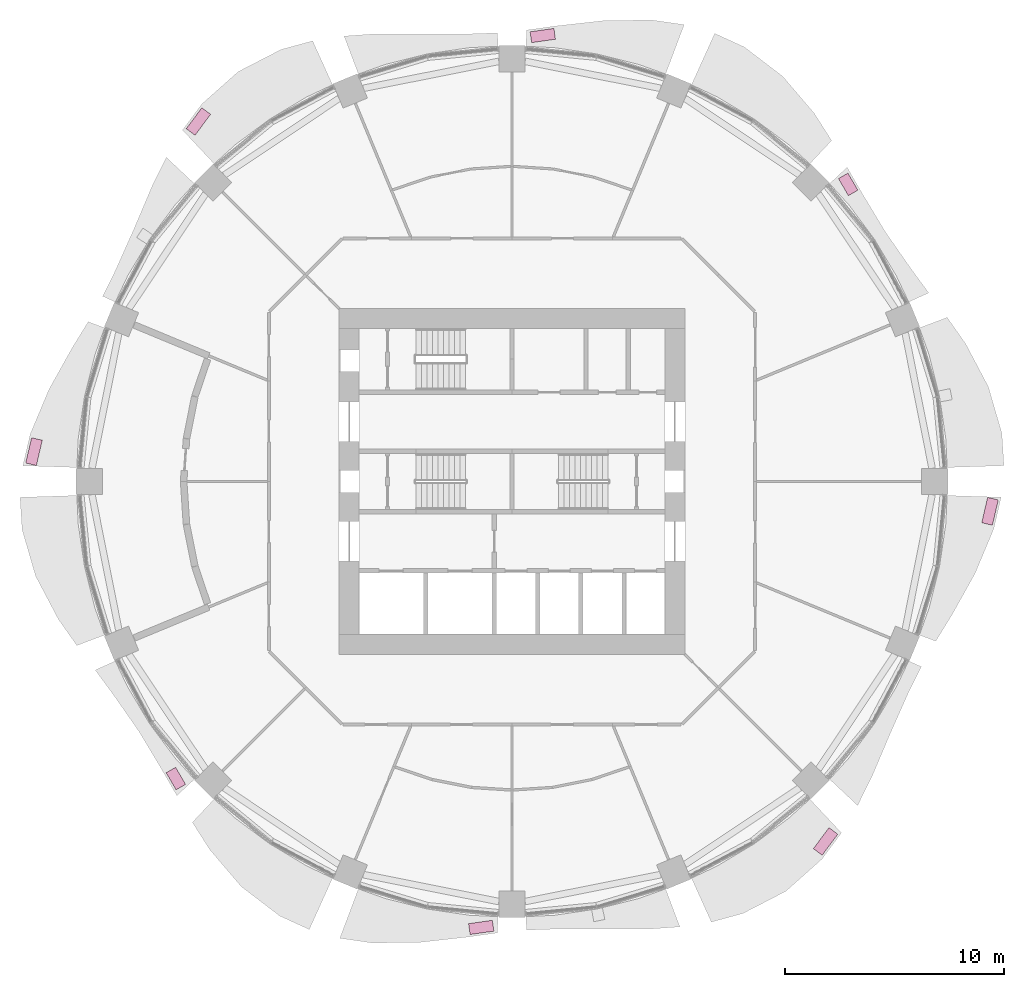
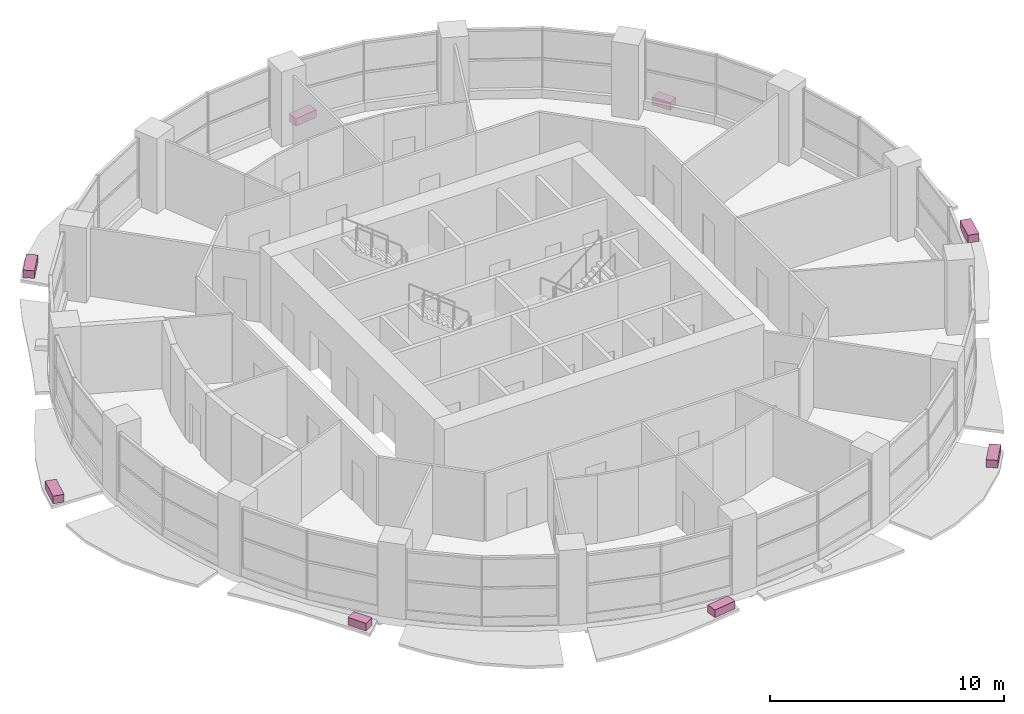
# One storey, part 15 of 15: 8 furniture elements.
"""IFC4 building model written with IfcOpenShell, lengths in metres."""

from ifc_helpers import new_model, si_unit, direction, frame, origin, origin_2d, place, context, subcontext, project, spatial, rectangle, extrude, material, type_object, element, save


model = new_model("IFC4")

# Units and contexts
model_context = context("Model", 3, precision=1e-05, world=origin(), true_north=direction((0.0, 1.0)))
body_context = subcontext(model_context, "Body", "Model", "MODEL_VIEW")
ifc_project = project(units=[si_unit("LENGTHUNIT", "METRE"), si_unit("AREAUNIT", "SQUARE_METRE"), si_unit("VOLUMEUNIT", "CUBIC_METRE"), si_unit("PLANEANGLEUNIT", "RADIAN"), si_unit("MASSUNIT", "GRAM", prefix="KILO")], contexts=[model_context])

# Site, building, storey
site_placement = place(None, origin())
site = spatial("IfcSite", under=ifc_project, at=site_placement, CompositionType="ELEMENT")
building_placement = place(site_placement, origin())
building = spatial("IfcBuilding", under=site, at=building_placement, Name="Polderwave Tower", CompositionType="ELEMENT")
storey_placement = place(building_placement, frame((0.0, 0.0, 18.5)))
storey = spatial("IfcBuildingStorey", under=building, at=storey_placement, Name="L04", CompositionType="ELEMENT", Elevation=18.5)

# Furniture
ifc_material = material(Name="Terracotta", Category="masonry")
furniture_type = type_object("IfcFurnitureType", Name="Terracotta planting trough", AssemblyPlace="NOTDEFINED", PredefinedType="USERDEFINED", material=ifc_material)
furniture_1_placement = place(storey_placement, frame((15.315673828125, 13.53564453125, -0.25), z_axis=(0.0, 0.0, 1.0), x_axis=(-0.501145278709, 0.865363166323, 0.0)))
element("IfcFurniture", 1, at=furniture_1_placement, inside=storey, type_object=furniture_type, Name="Planting trough L04 2", ObjectType="PLANTER", PredefinedType="USERDEFINED", context=body_context, shape_type="SweptSolid", body=[
    extrude(rectangle(XDim=0.8994140625, YDim=0.5, at=origin_2d()), origin(), (0.0, 0.0, 1.0), 0.39990234375),
])
furniture_2_placement = place(storey_placement, frame((1.40185546875, 20.31787109375, -0.25), z_axis=(0.0, 0.0, 1.0), x_axis=(-0.990285307243, -0.13905038748, 0.0)))
element("IfcFurniture", 2, at=furniture_2_placement, inside=storey, type_object=furniture_type, Name="Planting trough L04 4", ObjectType="PLANTER", PredefinedType="USERDEFINED", context=body_context, shape_type="SweptSolid", body=[
    extrude(rectangle(XDim=1.09716796875, YDim=0.5, at=origin_2d()), origin(), (0.0, 0.0, 1.0), 0.39990234375),
])
furniture_3_placement = place(storey_placement, frame((-14.28662109375, 16.400634765625, -0.25), z_axis=(0.0, 0.0, 1.0), x_axis=(-0.596233282018, -0.802811231495, 0.0)))
element("IfcFurniture", 3, at=furniture_3_placement, inside=storey, type_object=furniture_type, Name="Planting trough L04 6", ObjectType="PLANTER", PredefinedType="USERDEFINED", context=body_context, shape_type="SweptSolid", body=[
    extrude(rectangle(XDim=1.192626953125, YDim=0.5, at=origin_2d()), origin(), (0.0, 0.0, 1.0), 0.39990234375),
])
furniture_4_placement = place(storey_placement, frame((-21.779052734375, 1.360107421875, -0.25), z_axis=(0.0, 0.0, 1.0), x_axis=(-0.226834893554, -0.973933227211, 0.0)))
element("IfcFurniture", 4, at=furniture_4_placement, inside=storey, type_object=furniture_type, Name="Planting trough L04 8", ObjectType="PLANTER", PredefinedType="USERDEFINED", context=body_context, shape_type="SweptSolid", body=[
    extrude(rectangle(XDim=1.18408203125, YDim=0.5, at=origin_2d()), origin(), (0.0, 0.0, 1.0), 0.39990234375),
])
furniture_5_placement = place(storey_placement, frame((-15.315673828125, -13.53564453125, -0.25), z_axis=(0.0, 0.0, 1.0), x_axis=(0.501145278709, -0.865363166323, 0.0)))
element("IfcFurniture", 5, at=furniture_5_placement, inside=storey, type_object=furniture_type, Name="Planting trough L04 10", ObjectType="PLANTER", PredefinedType="USERDEFINED", context=body_context, shape_type="SweptSolid", body=[
    extrude(rectangle(XDim=0.8994140625, YDim=0.5, at=origin_2d()), origin(), (0.0, 0.0, 1.0), 0.39990234375),
])
furniture_6_placement = place(storey_placement, frame((-1.40185546875, -20.31787109375, -0.25), z_axis=(0.0, 0.0, 1.0), x_axis=(0.990285307243, 0.13905038748, 0.0)))
element("IfcFurniture", 6, at=furniture_6_placement, inside=storey, type_object=furniture_type, Name="Planting trough L04 12", ObjectType="PLANTER", PredefinedType="USERDEFINED", context=body_context, shape_type="SweptSolid", body=[
    extrude(rectangle(XDim=1.09716796875, YDim=0.5, at=origin_2d()), origin(), (0.0, 0.0, 1.0), 0.39990234375),
])
furniture_7_placement = place(storey_placement, frame((14.28662109375, -16.400634765625, -0.25), z_axis=(0.0, 0.0, 1.0), x_axis=(0.596233282018, 0.802811231495, 0.0)))
element("IfcFurniture", 7, at=furniture_7_placement, inside=storey, type_object=furniture_type, Name="Planting trough L04 14", ObjectType="PLANTER", PredefinedType="USERDEFINED", context=body_context, shape_type="SweptSolid", body=[
    extrude(rectangle(XDim=1.192626953125, YDim=0.5, at=origin_2d()), origin(), (0.0, 0.0, 1.0), 0.39990234375),
])
furniture_8_placement = place(storey_placement, frame((21.779052734375, -1.360107421875, -0.25), z_axis=(0.0, 0.0, 1.0), x_axis=(0.226834893554, 0.973933227211, 0.0)))
element("IfcFurniture", 8, at=furniture_8_placement, inside=storey, type_object=furniture_type, Name="Planting trough L04 16", ObjectType="PLANTER", PredefinedType="USERDEFINED", context=body_context, shape_type="SweptSolid", body=[
    extrude(rectangle(XDim=1.18408203125, YDim=0.5, at=origin_2d()), origin(), (0.0, 0.0, 1.0), 0.39990234375),
])

save(model, "model.ifc")
